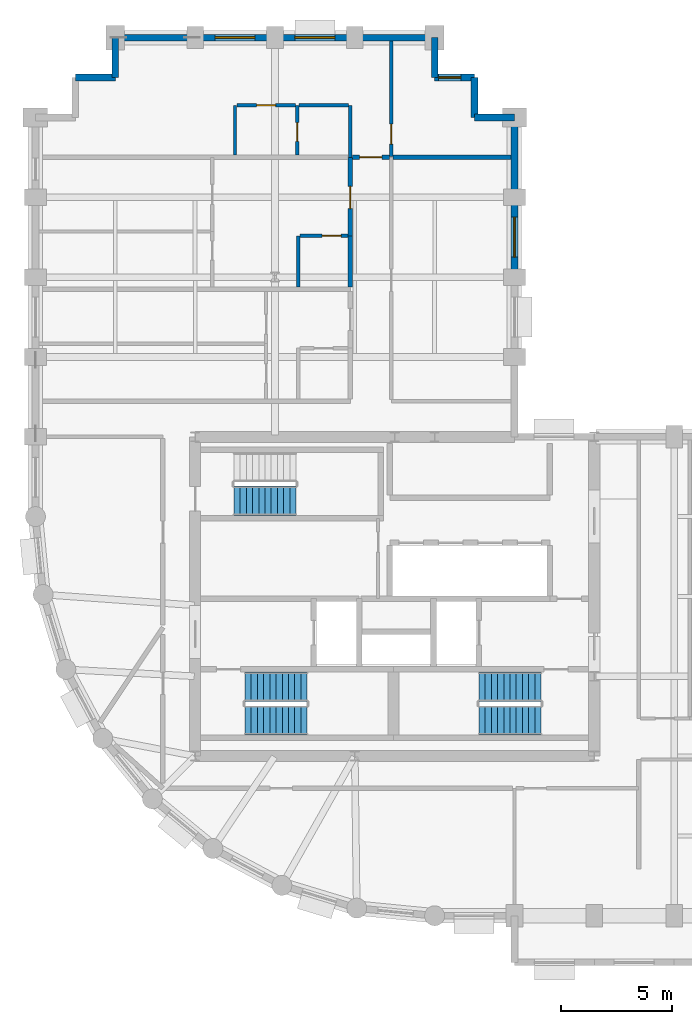
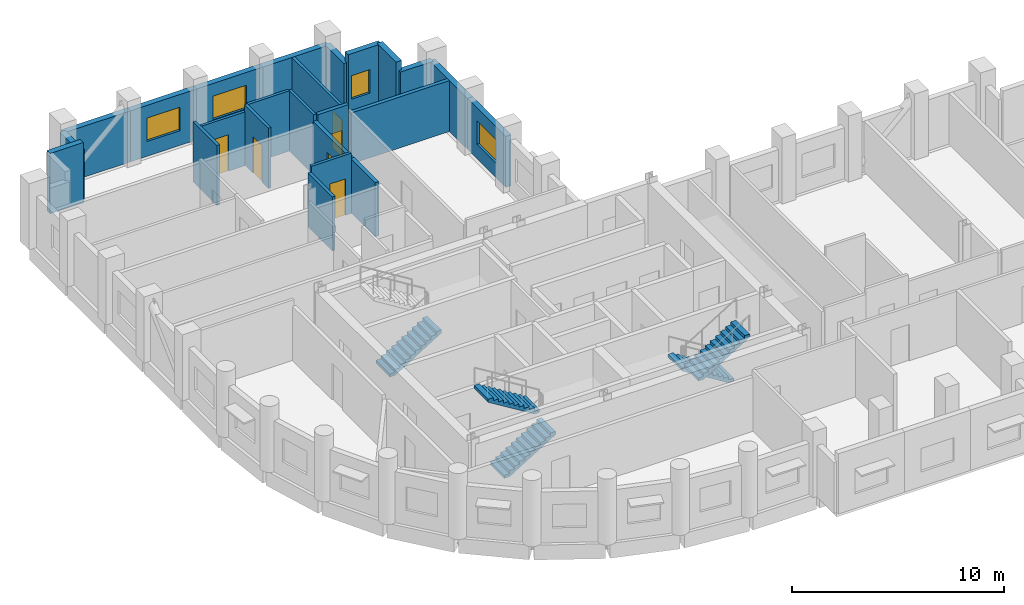
# One storey, part 7 of 11: 24 walls, 6 doors, 5 stair flights, 4 windows, 10 openings, 3 elements without a shape of their own.
"""IFC4 building model written with IfcOpenShell, lengths in metres."""

from ifc_helpers import new_model, si_unit, direction, frame, frame_2d, origin, place, context, subcontext, project, spatial, polyline, rectangle, outline, extrude, material, layer, layer_set, type_object, element, fill, aggregate, save


model = new_model("IFC4")

# Units and contexts
model_context = context("Model", 3, precision=1e-05, world=origin(), true_north=direction((0.0, 1.0)))
body_context = subcontext(model_context, "Body", "Model", "MODEL_VIEW")
ifc_project = project(units=[si_unit("LENGTHUNIT", "METRE"), si_unit("AREAUNIT", "SQUARE_METRE"), si_unit("VOLUMEUNIT", "CUBIC_METRE"), si_unit("PLANEANGLEUNIT", "RADIAN"), si_unit("MASSUNIT", "GRAM", prefix="KILO")], contexts=[model_context])

# Site, building, storey
site_placement = place(None, origin())
site = spatial("IfcSite", under=ifc_project, at=site_placement, CompositionType="ELEMENT")
building_placement = place(site_placement, origin())
building = spatial("IfcBuilding", under=site, at=building_placement, Name="Solnavia Interchange Tower", CompositionType="ELEMENT")
storey_placement = place(building_placement, frame((0.0, 0.0, 165.60009765625)))
storey = spatial("IfcBuildingStorey", under=building, at=storey_placement, Name="L41", CompositionType="ELEMENT", Elevation=165.60009765625)

# Wall
ifc_material_1 = material(Name="Gypsum Acoustic Twin-Stud & Mineral Wool", Category="gypsum")
ifc_layer_1 = layer(ifc_material_1, 0.199951171875)
ifc_layer_set_1 = layer_set([ifc_layer_1], Name="Gypsum Acoustic Twin-Stud & Mineral Wool")
wall_type_1 = type_object("IfcWallType", Name="Wall-ApartmentParty-200", PredefinedType="PARTITIONING", material=ifc_layer_set_1)
wall_1_placement = place(storey_placement, frame((21.39990234375, 31.964111328125, 0.0), z_axis=(0.0, 0.0, 1.0), x_axis=(0.0, 1.0, 0.0)))
element("IfcWall", 1, at=wall_1_placement, inside=storey, type_object=wall_type_1, Name="PTW-L41-41 Interior partition wall", PredefinedType="PARTITIONING", context=body_context, shape_type="SweptSolid", body=[
    extrude(rectangle(XDim=2.2958984375, YDim=0.199951171875, at=frame_2d((1.14794921875, 0.0))), origin(), (0.0, 0.0, 1.0), 3.10986328125),
])

# Wall, opening, door
wall_2_placement = place(storey_placement, frame((21.39990234375, 34.260009765625, 0.0), z_axis=(0.0, 0.0, 1.0), x_axis=(0.0, 1.0, 0.0)))
wall_2 = element("IfcWall", 2, at=wall_2_placement, inside=storey, type_object=wall_type_1, Name="PTW-L41-44 Interior partition wall", PredefinedType="PARTITIONING", context=body_context, shape_type="SweptSolid", body=[
    extrude(rectangle(XDim=3.5400390625, YDim=0.199951171875, at=frame_2d((1.77001953125, 0.0))), origin(), (0.0, 0.0, 1.0), 3.099853515625),
])
opening_1_placement = place(wall_2_placement, frame((1.22998046875, 0.0, 0.0)))
opening_1 = element("IfcOpeningElement", 3, at=opening_1_placement, cuts=wall_2, Name="Opening DR-06", PredefinedType="OPENING", context=body_context, shape_type="SweptSolid", body=[
    extrude(rectangle(XDim=1.0, YDim=2.10009765625, at=frame_2d((0.5, 1.050048828125))), frame((0.0, 0.10986328125, 0.0), z_axis=(0.0, -1.0, 0.0), x_axis=(1.0, 0.0, 0.0)), (0.0, 0.0, 1.0), 0.219970703125),
])
ifc_material_2 = material(Name="Engineered Timber Acoustic Fire Door", Category="wood")
door_type_1 = type_object("IfcDoorType", Name="Door-FlatEntry-1000x2100", OperationType="SINGLE_SWING_LEFT", PredefinedType="DOOR", material=ifc_material_2)
door_1_placement = place(opening_1_placement, origin())
door_1 = element("IfcDoor", 4, at=door_1_placement, inside=storey, type_object=door_type_1, Name="DR-L41-20 Interior room door", OperationType="SINGLE_SWING_RIGHT", OverallHeight=2.10009765625, OverallWidth=1.0, PredefinedType="DOOR", context=body_context, shape_type="SweptSolid", body=[
    extrude(rectangle(XDim=1.0, YDim=2.10009765625, at=frame_2d((0.5, 1.050048828125))), frame((0.0, 0.02490234375, 0.0), z_axis=(0.0, -1.0, 0.0), x_axis=(1.0, 0.0, 0.0)), (0.0, 0.0, 1.0), 0.050048828125),
])
fill(opening_1, door_1)

# Wall
wall_3_placement = place(storey_placement, frame((23.3291015625, 37.800048828125, 0.0), z_axis=(0.0, 0.0, 1.0), x_axis=(1.0, 0.0, 0.0)))
element("IfcWall", 5, at=wall_3_placement, inside=storey, type_object=wall_type_1, Name="PTW-L41-51 Interior partition wall", PredefinedType="PARTITIONING", context=body_context, shape_type="SweptSolid", body=[
    extrude(rectangle(XDim=5.31689453125, YDim=0.199951171875, at=frame_2d((2.658447265625, 0.0))), origin(), (0.0, 0.0, 1.0), 2.929931640625),
])

# Wall, opening, door
wall_4_placement = place(storey_placement, frame((21.50390625, 37.800048828125, 0.0), z_axis=(0.0, 0.0, 1.0), x_axis=(1.0, 0.0, 0.0)))
wall_4 = element("IfcWall", 6, at=wall_4_placement, inside=storey, type_object=wall_type_1, Name="PTW-L41-52 Interior partition wall", PredefinedType="PARTITIONING", context=body_context, shape_type="SweptSolid", body=[
    extrude(rectangle(XDim=1.6669921875, YDim=0.199951171875, at=frame_2d((0.83349609375, 0.0))), origin(), (0.0, 0.0, 1.0), 3.46484375),
])
opening_2_placement = place(wall_4_placement, frame((0.31396484375, 0.0, 0.0)))
opening_2 = element("IfcOpeningElement", 7, at=opening_2_placement, cuts=wall_4, Name="Opening DR-06", PredefinedType="OPENING", context=body_context, shape_type="SweptSolid", body=[
    extrude(rectangle(XDim=1.0, YDim=2.10009765625, at=frame_2d((0.5, 1.050048828125))), frame((0.0, 0.10986328125, 0.0), z_axis=(0.0, -1.0, 0.0), x_axis=(1.0, 0.0, 0.0)), (0.0, 0.0, 1.0), 0.219970703125),
])
door_2_placement = place(opening_2_placement, origin())
door_2 = element("IfcDoor", 8, at=door_2_placement, inside=storey, type_object=door_type_1, Name="DR-L41-24 Interior room door", OperationType="SINGLE_SWING_LEFT", OverallHeight=2.10009765625, OverallWidth=1.0, PredefinedType="DOOR", context=body_context, shape_type="SweptSolid", body=[
    extrude(rectangle(XDim=1.0, YDim=2.10009765625, at=frame_2d((0.5, 1.050048828125))), frame((0.0, 0.02490234375, 0.0), z_axis=(0.0, -1.0, 0.0), x_axis=(1.0, 0.0, 0.0)), (0.0, 0.0, 1.0), 0.050048828125),
])
fill(opening_2, door_2)

# Wall, opening, window
ifc_material_3 = material(Name="Concrete C40/50", Category="concrete")
ifc_layer_2 = layer(ifc_material_3, 0.300048828125)
ifc_layer_set_2 = layer_set([ifc_layer_2], Name="Concrete C40/50")
wall_type_2 = type_object("IfcWallType", Name="Wall-ExtSpandrel-300", PredefinedType="STANDARD", material=ifc_layer_set_2)
wall_5_placement = place(storey_placement, frame((28.800048828125, 36.0, 0.0), z_axis=(0.0, 0.0, 1.0), x_axis=(0.0, -1.0, 0.0)))
wall_5 = element("IfcWall", 9, at=wall_5_placement, inside=storey, type_object=wall_type_2, Name="EXW-L41-30 Exterior precast spandrel wall", PredefinedType="STANDARD", context=body_context, shape_type="SweptSolid", body=[
    extrude(rectangle(XDim=3.60009765625, YDim=0.300048828125, at=frame_2d((1.800048828125, 0.0))), origin(), (0.0, 0.0, 1.0), 2.929931640625),
])
opening_3_placement = place(wall_5_placement, frame((0.89990234375, 0.0, 0.85009765625)))
opening_3 = element("IfcOpeningElement", 10, at=opening_3_placement, cuts=wall_5, Name="Opening WIN-02", PredefinedType="OPENING", context=body_context, shape_type="SweptSolid", body=[
    extrude(rectangle(XDim=1.800048828125, YDim=1.35009765625, at=frame_2d((0.89990234375, 0.675048828125))), frame((0.0, 0.16015625, 0.0), z_axis=(0.0, -1.0, 0.0), x_axis=(1.0, 0.0, 0.0)), (0.0, 0.0, 1.0), 0.320068359375),
])
ifc_material_4 = material(Name="Thermal-Break Aluminium & Low-E Glass", Category="aluminium")
window_type_1 = type_object("IfcWindowType", Name="Window-Ribbon-1800x1350", PartitioningType="SINGLE_PANEL", PredefinedType="WINDOW", material=ifc_material_4)
window_1_placement = place(opening_3_placement, origin())
window_1 = element("IfcWindow", 11, at=window_1_placement, inside=storey, type_object=window_type_1, Name="WIN-L41-30 Facade ribbon window", OverallHeight=1.35009765625, OverallWidth=1.800048828125, PartitioningType="SINGLE_PANEL", PredefinedType="WINDOW", context=body_context, shape_type="SweptSolid", body=[
    extrude(rectangle(XDim=1.800048828125, YDim=1.35009765625, at=frame_2d((0.89990234375, 0.675048828125))), frame((0.0, 0.030029296875, 0.0), z_axis=(0.0, -1.0, 0.0), x_axis=(1.0, 0.0, 0.0)), (0.0, 0.0, 1.0), 0.06005859375),
])
fill(opening_3, window_1)

# Walls
wall_6_placement = place(storey_placement, frame((28.800048828125, 39.60009765625, 0.0), z_axis=(0.0, 0.0, 1.0), x_axis=(0.0, -1.0, 0.0)))
element("IfcWall", 12, at=wall_6_placement, inside=storey, type_object=wall_type_2, Name="EXW-L41-31 Exterior precast spandrel wall", PredefinedType="STANDARD", context=body_context, shape_type="SweptSolid", body=[
    extrude(rectangle(XDim=3.60009765625, YDim=0.300048828125, at=frame_2d((1.800048828125, 0.0))), origin(), (0.0, 0.0, 1.0), 2.929931640625),
])
wall_7_placement = place(storey_placement, frame((27.0, 39.60009765625, 0.0), z_axis=(0.0, 0.0, 1.0), x_axis=(1.0, 0.0, 0.0)))
element("IfcWall", 13, at=wall_7_placement, inside=storey, type_object=wall_type_2, Name="EXW-L41-32 Exterior precast spandrel wall", PredefinedType="STANDARD", context=body_context, shape_type="SweptSolid", body=[
    extrude(rectangle(XDim=1.800048828125, YDim=0.300048828125, at=frame_2d((0.89990234375, 0.0))), origin(), (0.0, 0.0, 1.0), 2.929931640625),
])
wall_8_placement = place(storey_placement, frame((27.0, 39.60009765625, 0.0), z_axis=(0.0, 0.0, 1.0), x_axis=(0.0, 1.0, 0.0)))
element("IfcWall", 14, at=wall_8_placement, inside=storey, type_object=wall_type_2, Name="EXW-L41-33 Exterior precast spandrel wall", PredefinedType="STANDARD", context=body_context, shape_type="SweptSolid", body=[
    extrude(rectangle(XDim=1.7998046875, YDim=0.300048828125, at=frame_2d((0.89990234375, 0.0))), origin(), (0.0, 0.0, 1.0), 3.46484375),
])

# Wall, opening, window
wall_9_placement = place(storey_placement, frame((25.199951171875, 41.39990234375, 0.0), z_axis=(0.0, 0.0, 1.0), x_axis=(1.0, 0.0, 0.0)))
wall_9 = element("IfcWall", 15, at=wall_9_placement, inside=storey, type_object=wall_type_2, Name="EXW-L41-34 Exterior precast spandrel wall", PredefinedType="STANDARD", context=body_context, shape_type="SweptSolid", body=[
    extrude(rectangle(XDim=1.800048828125, YDim=0.300048828125, at=frame_2d((0.89990234375, 0.0))), origin(), (0.0, 0.0, 1.0), 3.46484375),
])
opening_4_placement = place(wall_9_placement, frame((0.179931640625, 0.0, 0.85009765625)))
opening_4 = element("IfcOpeningElement", 16, at=opening_4_placement, cuts=wall_9, Name="Opening WIN-07", PredefinedType="OPENING", context=body_context, shape_type="SweptSolid", body=[
    extrude(rectangle(XDim=1.0, YDim=1.35009765625, at=frame_2d((0.5, 0.675048828125))), frame((0.0, 0.16015625, 0.0), z_axis=(0.0, -1.0, 0.0), x_axis=(1.0, 0.0, 0.0)), (0.0, 0.0, 1.0), 0.320068359375),
])
window_type_2 = type_object("IfcWindowType", Name="Window-Bedroom-1000x1350", PartitioningType="SINGLE_PANEL", PredefinedType="WINDOW", material=ifc_material_4)
window_2_placement = place(opening_4_placement, origin())
window_2 = element("IfcWindow", 17, at=window_2_placement, inside=storey, type_object=window_type_2, Name="WIN-L41-DW03 Dwelling bedroom window", OverallHeight=1.35009765625, OverallWidth=1.0, PartitioningType="SINGLE_PANEL", PredefinedType="WINDOW", context=body_context, shape_type="SweptSolid", body=[
    extrude(rectangle(XDim=1.0, YDim=1.35009765625, at=frame_2d((0.5, 0.675048828125))), frame((0.0, 0.030029296875, 0.0), z_axis=(0.0, -1.0, 0.0), x_axis=(1.0, 0.0, 0.0)), (0.0, 0.0, 1.0), 0.06005859375),
])
fill(opening_4, window_2)

# Walls
wall_10_placement = place(storey_placement, frame((25.199951171875, 41.39990234375, 0.0), z_axis=(0.0, 0.0, 1.0), x_axis=(0.0, 1.0, 0.0)))
element("IfcWall", 18, at=wall_10_placement, inside=storey, type_object=wall_type_2, Name="EXW-L41-35 Exterior precast spandrel wall", PredefinedType="STANDARD", context=body_context, shape_type="SweptSolid", body=[
    extrude(rectangle(XDim=1.800048828125, YDim=0.300048828125, at=frame_2d((0.89990234375, 0.0))), origin(), (0.0, 0.0, 1.0), 2.929931640625),
])
wall_11_placement = place(storey_placement, frame((21.60009765625, 43.199951171875, 0.0), z_axis=(0.0, 0.0, 1.0), x_axis=(1.0, 0.0, 0.0)))
element("IfcWall", 19, at=wall_11_placement, inside=storey, type_object=wall_type_2, Name="EXW-L41-36 Exterior precast spandrel wall", PredefinedType="STANDARD", context=body_context, shape_type="SweptSolid", body=[
    extrude(rectangle(XDim=3.599853515625, YDim=0.300048828125, at=frame_2d((1.7998046875, 0.0))), origin(), (0.0, 0.0, 1.0), 2.929931640625),
])

# Wall, opening, window
wall_12_placement = place(storey_placement, frame((18.0, 43.199951171875, 0.0), z_axis=(0.0, 0.0, 1.0), x_axis=(1.0, 0.0, 0.0)))
wall_12 = element("IfcWall", 20, at=wall_12_placement, inside=storey, type_object=wall_type_2, Name="EXW-L41-37 Exterior precast spandrel wall", PredefinedType="STANDARD", context=body_context, shape_type="SweptSolid", body=[
    extrude(rectangle(XDim=3.60009765625, YDim=0.300048828125, at=frame_2d((1.800048828125, 0.0))), origin(), (0.0, 0.0, 1.0), 2.929931640625),
])
opening_5_placement = place(wall_12_placement, frame((0.89990234375, 0.0, 0.85009765625)))
opening_5 = element("IfcOpeningElement", 21, at=opening_5_placement, cuts=wall_12, Name="Opening WIN-02", PredefinedType="OPENING", context=body_context, shape_type="SweptSolid", body=[
    extrude(rectangle(XDim=1.800048828125, YDim=1.35009765625, at=frame_2d((0.89990234375, 0.675048828125))), frame((0.0, 0.16015625, 0.0), z_axis=(0.0, -1.0, 0.0), x_axis=(1.0, 0.0, 0.0)), (0.0, 0.0, 1.0), 0.320068359375),
])
window_3_placement = place(opening_5_placement, origin())
window_3 = element("IfcWindow", 22, at=window_3_placement, inside=storey, type_object=window_type_1, Name="WIN-L41-37 Facade ribbon window", OverallHeight=1.35009765625, OverallWidth=1.800048828125, PartitioningType="SINGLE_PANEL", PredefinedType="WINDOW", context=body_context, shape_type="SweptSolid", body=[
    extrude(rectangle(XDim=1.800048828125, YDim=1.35009765625, at=frame_2d((0.89990234375, 0.675048828125))), frame((0.0, 0.030029296875, 0.0), z_axis=(0.0, -1.0, 0.0), x_axis=(1.0, 0.0, 0.0)), (0.0, 0.0, 1.0), 0.06005859375),
])
fill(opening_5, window_3)

wall_13_placement = place(storey_placement, frame((14.39990234375, 43.199951171875, 0.0), z_axis=(0.0, 0.0, 1.0), x_axis=(1.0, 0.0, 0.0)))
wall_13 = element("IfcWall", 23, at=wall_13_placement, inside=storey, type_object=wall_type_2, Name="EXW-L41-38 Exterior precast spandrel wall", PredefinedType="STANDARD", context=body_context, shape_type="SweptSolid", body=[
    extrude(rectangle(XDim=3.60009765625, YDim=0.300048828125, at=frame_2d((1.800048828125, 0.0))), origin(), (0.0, 0.0, 1.0), 2.929931640625),
])
opening_6_placement = place(wall_13_placement, frame((0.89990234375, 0.0, 0.85009765625)))
opening_6 = element("IfcOpeningElement", 24, at=opening_6_placement, cuts=wall_13, Name="Opening WIN-02", PredefinedType="OPENING", context=body_context, shape_type="SweptSolid", body=[
    extrude(rectangle(XDim=1.800048828125, YDim=1.35009765625, at=frame_2d((0.89990234375, 0.675048828125))), frame((0.0, 0.16015625, 0.0), z_axis=(0.0, -1.0, 0.0), x_axis=(1.0, 0.0, 0.0)), (0.0, 0.0, 1.0), 0.320068359375),
])
window_4_placement = place(opening_6_placement, origin())
window_4 = element("IfcWindow", 25, at=window_4_placement, inside=storey, type_object=window_type_1, Name="WIN-L41-38 Facade ribbon window", OverallHeight=1.35009765625, OverallWidth=1.800048828125, PartitioningType="SINGLE_PANEL", PredefinedType="WINDOW", context=body_context, shape_type="SweptSolid", body=[
    extrude(rectangle(XDim=1.800048828125, YDim=1.35009765625, at=frame_2d((0.89990234375, 0.675048828125))), frame((0.0, 0.030029296875, 0.0), z_axis=(0.0, -1.0, 0.0), x_axis=(1.0, 0.0, 0.0)), (0.0, 0.0, 1.0), 0.06005859375),
])
fill(opening_6, window_4)

# Walls
wall_14_placement = place(storey_placement, frame((10.800048828125, 43.199951171875, 0.0), z_axis=(0.0, 0.0, 1.0), x_axis=(1.0, 0.0, 0.0)))
element("IfcWall", 26, at=wall_14_placement, inside=storey, type_object=wall_type_2, Name="EXW-L41-39 Exterior precast spandrel wall", PredefinedType="STANDARD", context=body_context, shape_type="SweptSolid", body=[
    extrude(rectangle(XDim=3.599853515625, YDim=0.300048828125, at=frame_2d((1.7998046875, 0.0))), origin(), (0.0, 0.0, 1.0), 2.929931640625),
])
wall_15_placement = place(storey_placement, frame((10.800048828125, 41.39990234375, 0.0), z_axis=(0.0, 0.0, 1.0), x_axis=(0.0, 1.0, 0.0)))
element("IfcWall", 27, at=wall_15_placement, inside=storey, type_object=wall_type_2, Name="EXW-L41-40 Exterior precast spandrel wall", PredefinedType="STANDARD", context=body_context, shape_type="SweptSolid", body=[
    extrude(rectangle(XDim=1.800048828125, YDim=0.300048828125, at=frame_2d((0.89990234375, 0.0))), origin(), (0.0, 0.0, 1.0), 2.929931640625),
])
wall_16_placement = place(storey_placement, frame((9.0, 41.39990234375, 0.0), z_axis=(0.0, 0.0, 1.0), x_axis=(1.0, 0.0, 0.0)))
element("IfcWall", 28, at=wall_16_placement, inside=storey, type_object=wall_type_2, Name="EXW-L41-41 Exterior precast spandrel wall", PredefinedType="STANDARD", context=body_context, shape_type="SweptSolid", body=[
    extrude(rectangle(XDim=1.800048828125, YDim=0.300048828125, at=frame_2d((0.89990234375, 0.0))), origin(), (0.0, 0.0, 1.0), 3.46484375),
])

# Wall, opening, door
ifc_material_5 = material(Name="Gypsum Plasterboard & Steel Stud", Category="steel")
ifc_layer_3 = layer(ifc_material_5, 0.14990234375)
ifc_layer_set_3 = layer_set([ifc_layer_3], Name="Gypsum Plasterboard & Steel Stud")
wall_type_3 = type_object("IfcWallType", Name="Wall-Partition-150", PredefinedType="PARTITIONING", material=ifc_layer_set_3)
wall_17_placement = place(storey_placement, frame((23.25, 37.84619140625, 0.0), z_axis=(0.0, 0.0, 1.0), x_axis=(0.0, 1.0, 0.0)))
wall_17 = element("IfcWall", 29, at=wall_17_placement, inside=storey, type_object=wall_type_3, Name="PTW-L41-56 Interior partition wall", PredefinedType="PARTITIONING", context=body_context, shape_type="SweptSolid", body=[
    extrude(rectangle(XDim=5.19970703125, YDim=0.14990234375, at=frame_2d((2.599853515625, 0.0))), origin(), (0.0, 0.0, 1.0), 2.929931640625),
])
opening_7_placement = place(wall_17_placement, frame((0.550048828125, 0.0, 0.0)))
opening_7 = element("IfcOpeningElement", 30, at=opening_7_placement, cuts=wall_17, Name="Opening DR-09", PredefinedType="OPENING", context=body_context, shape_type="SweptSolid", body=[
    extrude(rectangle(XDim=0.89990234375, YDim=2.10009765625, at=frame_2d((0.449951171875, 1.050048828125))), frame((0.0, 0.0849609375, 0.0), z_axis=(0.0, -1.0, 0.0), x_axis=(1.0, 0.0, 0.0)), (0.0, 0.0, 1.0), 0.169921875),
])
ifc_material_6 = material(Name="Engineered Oak Veneer Door", Category="wood")
door_type_2 = type_object("IfcDoorType", Name="Door-Internal-900x2100", OperationType="SINGLE_SWING_LEFT", PredefinedType="DOOR", material=ifc_material_6)
door_3_placement = place(opening_7_placement, origin())
door_3 = element("IfcDoor", 31, at=door_3_placement, inside=storey, type_object=door_type_2, Name="DR-L41-26 Interior room door", OperationType="SINGLE_SWING_RIGHT", OverallHeight=2.10009765625, OverallWidth=0.89990234375, PredefinedType="DOOR", context=body_context, shape_type="SweptSolid", body=[
    extrude(rectangle(XDim=0.89990234375, YDim=2.10009765625, at=frame_2d((0.449951171875, 1.050048828125))), frame((0.0, 0.02490234375, 0.0), z_axis=(0.0, -1.0, 0.0), x_axis=(1.0, 0.0, 0.0)), (0.0, 0.0, 1.0), 0.050048828125),
])
fill(opening_7, door_3)

# Wall
ifc_material_7 = material(Name="Moisture-Resistant Gypsum & Steel Stud", Category="steel")
ifc_layer_4 = layer(ifc_material_7, 0.14990234375)
ifc_layer_set_4 = layer_set([ifc_layer_4], Name="Moisture-Resistant Gypsum & Steel Stud")
wall_type_4 = type_object("IfcWallType", Name="Wall-WetRoom-150", PredefinedType="PARTITIONING", material=ifc_layer_set_4)
wall_18_placement = place(storey_placement, frame((19.050048828125, 31.964111328125, 0.0), z_axis=(0.0, 0.0, 1.0), x_axis=(0.0, 1.0, 0.0)))
element("IfcWall", 32, at=wall_18_placement, inside=storey, type_object=wall_type_4, Name="PTW-L41-42 Interior partition wall", PredefinedType="PARTITIONING", context=body_context, shape_type="SweptSolid", body=[
    extrude(rectangle(XDim=2.2958984375, YDim=0.14990234375, at=frame_2d((1.14794921875, 0.0))), origin(), (0.0, 0.0, 1.0), 3.10986328125),
])

# Wall, opening, door
wall_19_placement = place(storey_placement, frame((19.12890625, 34.260009765625, 0.0), z_axis=(0.0, 0.0, 1.0), x_axis=(1.0, 0.0, 0.0)))
wall_19 = element("IfcWall", 33, at=wall_19_placement, inside=storey, type_object=wall_type_4, Name="PTW-L41-43 Interior partition wall", PredefinedType="PARTITIONING", context=body_context, shape_type="SweptSolid", body=[
    extrude(rectangle(XDim=2.1669921875, YDim=0.14990234375, at=frame_2d((1.08349609375, 0.0))), origin(), (0.0, 0.0, 1.0), 3.46484375),
])
opening_8_placement = place(wall_19_placement, frame((1.0009765625, 0.0, 0.0)))
opening_8 = element("IfcOpeningElement", 34, at=opening_8_placement, cuts=wall_19, Name="Opening DR-10", PredefinedType="OPENING", context=body_context, shape_type="SweptSolid", body=[
    extrude(rectangle(XDim=0.85009765625, YDim=2.10009765625, at=frame_2d((0.425048828125, 1.050048828125))), frame((0.0, 0.0849609375, 0.0), z_axis=(0.0, -1.0, 0.0), x_axis=(1.0, 0.0, 0.0)), (0.0, 0.0, 1.0), 0.169921875),
])
ifc_material_8 = material(Name="Moisture-Resistant Timber Door", Category="wood")
door_type_3 = type_object("IfcDoorType", Name="Door-Bathroom-850x2100", OperationType="SINGLE_SWING_RIGHT", PredefinedType="DOOR", material=ifc_material_8)
door_4_placement = place(opening_8_placement, origin())
door_4 = element("IfcDoor", 35, at=door_4_placement, inside=storey, type_object=door_type_3, Name="DR-L41-19 Interior room door", OperationType="SINGLE_SWING_RIGHT", OverallHeight=2.10009765625, OverallWidth=0.85009765625, PredefinedType="DOOR", context=body_context, shape_type="SweptSolid", body=[
    extrude(rectangle(XDim=0.85009765625, YDim=2.10009765625, at=frame_2d((0.425048828125, 1.050048828125))), frame((0.0, 0.02490234375, 0.0), z_axis=(0.0, -1.0, 0.0), x_axis=(1.0, 0.0, 0.0)), (0.0, 0.0, 1.0), 0.050048828125),
])
fill(opening_8, door_4)

# Wall
wall_20_placement = place(storey_placement, frame((21.39990234375, 37.800048828125, 0.0), z_axis=(0.0, 0.0, 1.0), x_axis=(0.0, 1.0, 0.0)))
element("IfcWall", 36, at=wall_20_placement, inside=storey, type_object=wall_type_4, Name="PTW-L41-53 Interior partition wall", PredefinedType="PARTITIONING", context=body_context, shape_type="SweptSolid", body=[
    extrude(rectangle(XDim=2.349853515625, YDim=0.14990234375, at=frame_2d((1.1748046875, 0.0))), origin(), (0.0, 0.0, 1.0), 3.46484375),
])

# Wall, opening, door
wall_21_placement = place(storey_placement, frame((19.0, 37.904052734375, 0.0), z_axis=(0.0, 0.0, 1.0), x_axis=(0.0, 1.0, 0.0)))
wall_21 = element("IfcWall", 37, at=wall_21_placement, inside=storey, type_object=wall_type_4, Name="PTW-L41-54 Interior partition wall", PredefinedType="PARTITIONING", context=body_context, shape_type="SweptSolid", body=[
    extrude(rectangle(XDim=2.245849609375, YDim=0.14990234375, at=frame_2d((1.123046875, 0.0))), origin(), (0.0, 0.0, 1.0), 3.46484375),
])
opening_9_placement = place(wall_21_placement, frame((0.615966796875, 0.0, 0.0)))
opening_9 = element("IfcOpeningElement", 38, at=opening_9_placement, cuts=wall_21, Name="Opening DR-10", PredefinedType="OPENING", context=body_context, shape_type="SweptSolid", body=[
    extrude(rectangle(XDim=0.85009765625, YDim=2.10009765625, at=frame_2d((0.425048828125, 1.050048828125))), frame((0.0, 0.0849609375, 0.0), z_axis=(0.0, -1.0, 0.0), x_axis=(1.0, 0.0, 0.0)), (0.0, 0.0, 1.0), 0.169921875),
])
door_5_placement = place(opening_9_placement, origin())
door_5 = element("IfcDoor", 39, at=door_5_placement, inside=storey, type_object=door_type_3, Name="DR-L41-25 Interior room door", OperationType="SINGLE_SWING_LEFT", OverallHeight=2.10009765625, OverallWidth=0.85009765625, PredefinedType="DOOR", context=body_context, shape_type="SweptSolid", body=[
    extrude(rectangle(XDim=0.85009765625, YDim=2.10009765625, at=frame_2d((0.425048828125, 1.050048828125))), frame((0.0, 0.02490234375, 0.0), z_axis=(0.0, -1.0, 0.0), x_axis=(1.0, 0.0, 0.0)), (0.0, 0.0, 1.0), 0.050048828125),
])
fill(opening_9, door_5)

# Walls
wall_22_placement = place(storey_placement, frame((19.0791015625, 40.14990234375, 0.0), z_axis=(0.0, 0.0, 1.0), x_axis=(1.0, 0.0, 0.0)))
element("IfcWall", 40, at=wall_22_placement, inside=storey, type_object=wall_type_4, Name="PTW-L41-55 Interior partition wall", PredefinedType="PARTITIONING", context=body_context, shape_type="SweptSolid", body=[
    extrude(rectangle(XDim=2.241943359375, YDim=0.14990234375, at=frame_2d((1.12109375, 0.0))), origin(), (0.0, 0.0, 1.0), 3.46484375),
])
wall_23_placement = place(storey_placement, frame((16.199951171875, 37.904052734375, 0.0), z_axis=(0.0, 0.0, 1.0), x_axis=(0.0, 1.0, 0.0)))
element("IfcWall", 41, at=wall_23_placement, inside=storey, type_object=wall_type_4, Name="PTW-L41-57 Interior partition wall", PredefinedType="PARTITIONING", context=body_context, shape_type="SweptSolid", body=[
    extrude(rectangle(XDim=2.245849609375, YDim=0.14990234375, at=frame_2d((1.123046875, 0.0))), origin(), (0.0, 0.0, 1.0), 3.46484375),
])

# Wall, opening, door
wall_24_placement = place(storey_placement, frame((16.279052734375, 40.14990234375, 0.0), z_axis=(0.0, 0.0, 1.0), x_axis=(1.0, 0.0, 0.0)))
wall_24 = element("IfcWall", 42, at=wall_24_placement, inside=storey, type_object=wall_type_4, Name="PTW-L41-58 Interior partition wall", PredefinedType="PARTITIONING", context=body_context, shape_type="SweptSolid", body=[
    extrude(rectangle(XDim=2.641845703125, YDim=0.14990234375, at=frame_2d((1.32080078125, 0.0))), origin(), (0.0, 0.0, 1.0), 3.099853515625),
])
opening_10_placement = place(wall_24_placement, frame((0.89599609375, 0.0, 0.0)))
opening_10 = element("IfcOpeningElement", 43, at=opening_10_placement, cuts=wall_24, Name="Opening DR-10", PredefinedType="OPENING", context=body_context, shape_type="SweptSolid", body=[
    extrude(rectangle(XDim=0.85009765625, YDim=2.10009765625, at=frame_2d((0.425048828125, 1.050048828125))), frame((0.0, 0.0849609375, 0.0), z_axis=(0.0, -1.0, 0.0), x_axis=(1.0, 0.0, 0.0)), (0.0, 0.0, 1.0), 0.169921875),
])
door_6_placement = place(opening_10_placement, origin())
door_6 = element("IfcDoor", 44, at=door_6_placement, inside=storey, type_object=door_type_3, Name="DR-L41-27 Interior room door", OperationType="SINGLE_SWING_LEFT", OverallHeight=2.10009765625, OverallWidth=0.85009765625, PredefinedType="DOOR", context=body_context, shape_type="SweptSolid", body=[
    extrude(rectangle(XDim=0.85009765625, YDim=2.10009765625, at=frame_2d((0.425048828125, 1.050048828125))), frame((0.0, 0.02490234375, 0.0), z_axis=(0.0, -1.0, 0.0), x_axis=(1.0, 0.0, 0.0)), (0.0, 0.0, 1.0), 0.050048828125),
])
fill(opening_10, door_6)

# Stair, stair flights
stair_type = type_object("IfcStairType", Name="Stair-Dogleg-RC", PredefinedType="HALF_TURN_STAIR", material=ifc_material_3)
stair_1_placement = place(storey_placement, origin())
stair_1 = element("IfcStair", 45, at=stair_1_placement, inside=storey, type_object=stair_type, Name="L41 Core exit stair 1", PredefinedType="HALF_TURN_STAIR")
stair_flight_type = type_object("IfcStairFlightType", Name="StairFlight-RC-150", PredefinedType="STRAIGHT", material=ifc_material_3)
stair_flight_1_placement = place(storey_placement, frame((16.64990234375, 12.409912109375, 0.0), z_axis=(0.0, 0.0, 1.0), x_axis=(1.0, 0.0, 0.0)))
stair_flight_1 = element("IfcStairFlight", 46, at=stair_flight_1_placement, type_object=stair_flight_type, Name="ST-1 flight 1", NumberOfRisers=11, NumberOfTreads=10, PredefinedType="STRAIGHT", RiserHeight=0.172727273, TreadLength=0.28, context=body_context, shape_type="SweptSolid", body=[
    extrude(outline(polyline([(0.0, 0.0), (0.0, 0.172607421875), (0.280029296875, 0.172607421875), (0.280029296875, 0.345458984375), (0.56005859375, 0.345458984375), (0.56005859375, 0.51806640625), (0.840087890625, 0.51806640625), (0.840087890625, 0.69091796875), (1.1201171875, 0.69091796875), (1.1201171875, 0.863525390625), (1.39990234375, 0.863525390625), (1.39990234375, 1.036376953125), (1.679931640625, 1.036376953125), (1.679931640625, 1.208984375), (1.9599609375, 1.208984375), (1.9599609375, 1.3818359375), (2.239990234375, 1.3818359375), (2.239990234375, 1.554443359375), (2.52001953125, 1.554443359375), (2.52001953125, 1.727294921875), (2.800048828125, 1.727294921875), (2.800048828125, 1.89990234375), (2.800048828125, 1.551025390625), (0.285400390625, 0.0), (0.0, 0.0)])), frame((0.0, 0.66015625, 0.0), z_axis=(0.0, -1.0, 0.0), x_axis=(1.0, 0.0, 0.0)), (0.0, 0.0, 1.0), 1.320068359375),
])
stair_flight_2_placement = place(storey_placement, frame((19.449951171875, 13.929931640625, 1.89990234375), z_axis=(0.0, 0.0, 1.0), x_axis=(-1.0, 0.0, 0.0)))
stair_flight_2 = element("IfcStairFlight", 47, at=stair_flight_2_placement, type_object=stair_flight_type, Name="ST-1 flight 2", NumberOfRisers=11, NumberOfTreads=10, PredefinedType="STRAIGHT", RiserHeight=0.172727273, TreadLength=0.28, context=body_context, shape_type="SweptSolid", body=[
    extrude(outline(polyline([(0.0, 0.0), (0.0, 0.172607421875), (0.280029296875, 0.172607421875), (0.280029296875, 0.345458984375), (0.56005859375, 0.345458984375), (0.56005859375, 0.51806640625), (0.840087890625, 0.51806640625), (0.840087890625, 0.69091796875), (1.1201171875, 0.69091796875), (1.1201171875, 0.863525390625), (1.39990234375, 0.863525390625), (1.39990234375, 1.036376953125), (1.679931640625, 1.036376953125), (1.679931640625, 1.208984375), (1.9599609375, 1.208984375), (1.9599609375, 1.3818359375), (2.239990234375, 1.3818359375), (2.239990234375, 1.554443359375), (2.52001953125, 1.554443359375), (2.52001953125, 1.727294921875), (2.800048828125, 1.727294921875), (2.800048828125, 1.89990234375), (2.800048828125, 1.551025390625), (0.285400390625, 0.0), (0.0, 0.0)])), frame((0.0, 0.66015625, 0.0), z_axis=(0.0, -1.0, 0.0), x_axis=(1.0, 0.0, 0.0)), (0.0, 0.0, 1.0), 1.320068359375),
])
aggregate(stair_1, [stair_flight_1, stair_flight_2])

stair_2_placement = place(storey_placement, origin())
stair_2 = element("IfcStair", 48, at=stair_2_placement, inside=storey, type_object=stair_type, Name="L41 Core exit stair 2", PredefinedType="HALF_TURN_STAIR")
stair_flight_3_placement = place(storey_placement, frame((30.0, 13.929931640625, 0.0), z_axis=(0.0, 0.0, 1.0), x_axis=(-1.0, 0.0, 0.0)))
stair_flight_3 = element("IfcStairFlight", 49, at=stair_flight_3_placement, type_object=stair_flight_type, Name="ST-2 flight 1", NumberOfRisers=11, NumberOfTreads=10, PredefinedType="STRAIGHT", RiserHeight=0.172727273, TreadLength=0.28, context=body_context, shape_type="SweptSolid", body=[
    extrude(outline(polyline([(0.0, 0.0), (0.0, 0.172607421875), (0.280029296875, 0.172607421875), (0.280029296875, 0.345458984375), (0.56005859375, 0.345458984375), (0.56005859375, 0.51806640625), (0.840087890625, 0.51806640625), (0.840087890625, 0.69091796875), (1.1201171875, 0.69091796875), (1.1201171875, 0.863525390625), (1.39990234375, 0.863525390625), (1.39990234375, 1.036376953125), (1.679931640625, 1.036376953125), (1.679931640625, 1.208984375), (1.9599609375, 1.208984375), (1.9599609375, 1.3818359375), (2.239990234375, 1.3818359375), (2.239990234375, 1.554443359375), (2.52001953125, 1.554443359375), (2.52001953125, 1.727294921875), (2.800048828125, 1.727294921875), (2.800048828125, 1.89990234375), (2.800048828125, 1.551025390625), (0.285400390625, 0.0), (0.0, 0.0)])), frame((0.0, 0.66015625, 0.0), z_axis=(0.0, -1.0, 0.0), x_axis=(1.0, 0.0, 0.0)), (0.0, 0.0, 1.0), 1.320068359375),
])
stair_flight_4_placement = place(storey_placement, frame((27.199951171875, 12.409912109375, 1.89990234375), z_axis=(0.0, 0.0, 1.0), x_axis=(1.0, 0.0, 0.0)))
stair_flight_4 = element("IfcStairFlight", 50, at=stair_flight_4_placement, type_object=stair_flight_type, Name="ST-2 flight 2", NumberOfRisers=11, NumberOfTreads=10, PredefinedType="STRAIGHT", RiserHeight=0.172727273, TreadLength=0.28, context=body_context, shape_type="SweptSolid", body=[
    extrude(outline(polyline([(0.0, 0.0), (0.0, 0.172607421875), (0.280029296875, 0.172607421875), (0.280029296875, 0.345458984375), (0.56005859375, 0.345458984375), (0.56005859375, 0.51806640625), (0.840087890625, 0.51806640625), (0.840087890625, 0.69091796875), (1.1201171875, 0.69091796875), (1.1201171875, 0.863525390625), (1.39990234375, 0.863525390625), (1.39990234375, 1.036376953125), (1.679931640625, 1.036376953125), (1.679931640625, 1.208984375), (1.9599609375, 1.208984375), (1.9599609375, 1.3818359375), (2.239990234375, 1.3818359375), (2.239990234375, 1.554443359375), (2.52001953125, 1.554443359375), (2.52001953125, 1.727294921875), (2.800048828125, 1.727294921875), (2.800048828125, 1.89990234375), (2.800048828125, 1.551025390625), (0.285400390625, 0.0), (0.0, 0.0)])), frame((0.0, 0.66015625, 0.0), z_axis=(0.0, -1.0, 0.0), x_axis=(1.0, 0.0, 0.0)), (0.0, 0.0, 1.0), 1.320068359375),
])
aggregate(stair_2, [stair_flight_3, stair_flight_4])

# Stair, stair flight
stair_3_placement = place(storey_placement, origin())
stair_3 = element("IfcStair", 51, at=stair_3_placement, inside=storey, type_object=stair_type, Name="L41 Core exit stair 3", PredefinedType="HALF_TURN_STAIR")
stair_flight_5_placement = place(storey_placement, frame((16.14990234375, 22.31005859375, 0.0), z_axis=(0.0, 0.0, 1.0), x_axis=(1.0, 0.0, 0.0)))
stair_flight_5 = element("IfcStairFlight", 52, at=stair_flight_5_placement, type_object=stair_flight_type, Name="ST-3 flight 1", NumberOfRisers=11, NumberOfTreads=10, PredefinedType="STRAIGHT", RiserHeight=0.172727273, TreadLength=0.28, context=body_context, shape_type="SweptSolid", body=[
    extrude(outline(polyline([(0.0, 0.0), (0.0, 0.172607421875), (0.280029296875, 0.172607421875), (0.280029296875, 0.345458984375), (0.56005859375, 0.345458984375), (0.56005859375, 0.51806640625), (0.840087890625, 0.51806640625), (0.840087890625, 0.69091796875), (1.1201171875, 0.69091796875), (1.1201171875, 0.863525390625), (1.39990234375, 0.863525390625), (1.39990234375, 1.036376953125), (1.679931640625, 1.036376953125), (1.679931640625, 1.208984375), (1.9599609375, 1.208984375), (1.9599609375, 1.3818359375), (2.239990234375, 1.3818359375), (2.239990234375, 1.554443359375), (2.52001953125, 1.554443359375), (2.52001953125, 1.727294921875), (2.800048828125, 1.727294921875), (2.800048828125, 1.89990234375), (2.800048828125, 1.551025390625), (0.285400390625, 0.0), (0.0, 0.0)])), frame((0.0, 0.66015625, 0.0), z_axis=(0.0, -1.0, 0.0), x_axis=(1.0, 0.0, 0.0)), (0.0, 0.0, 1.0), 1.320068359375),
])
aggregate(stair_3, [stair_flight_5])

save(model, "model.ifc")
